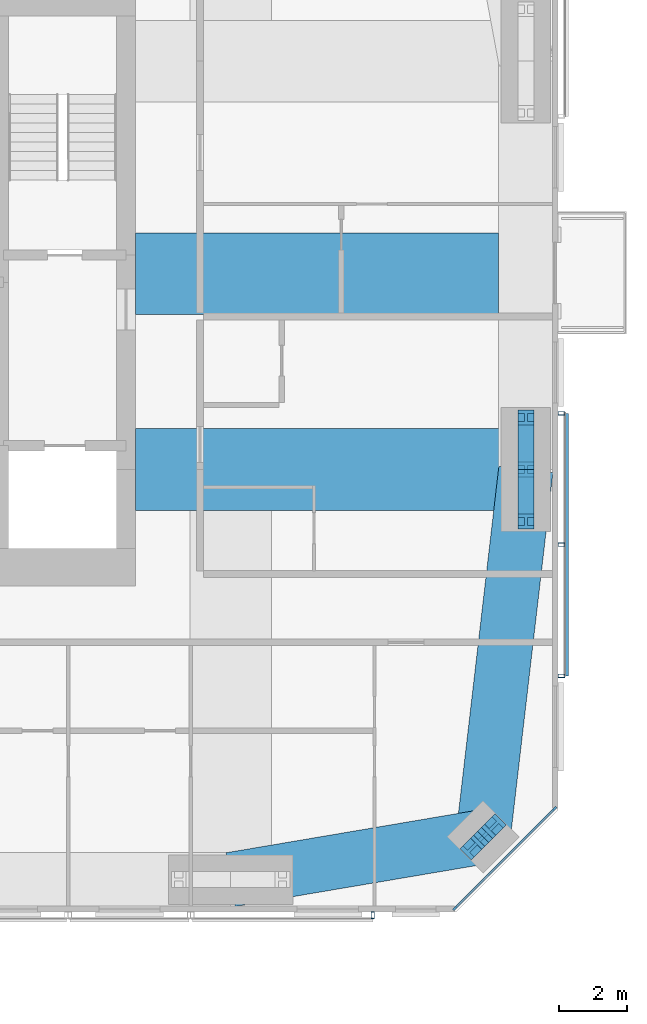
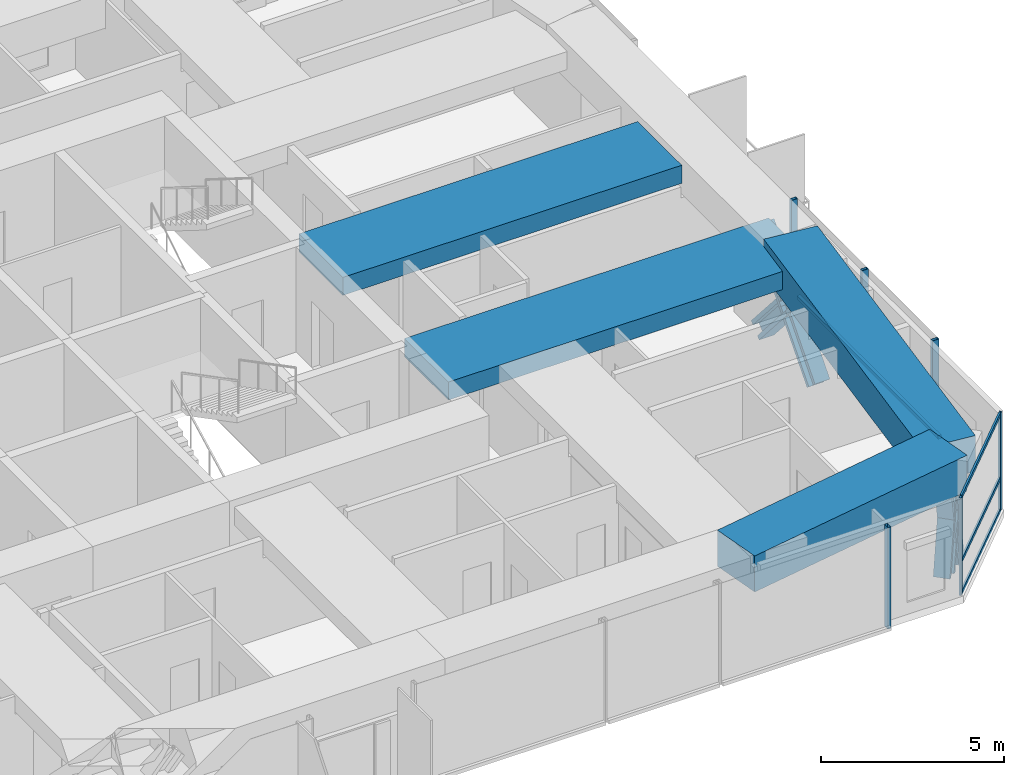
# One storey, part 7 of 18: 18 members, 4 beams, 3 elements without a shape of their own.
"""IFC4 building model written with IfcOpenShell, lengths in metres."""

from ifc_helpers import new_model, si_unit, direction, frame, origin, origin_2d, place, context, subcontext, project, spatial, rectangle, hollow_rectangle, i_section, extrude, material, material_profile, profile_set, type_object, element, aggregate, save


model = new_model("IFC4")

# Units and contexts
model_context = context("Model", 3, precision=1e-05, world=origin(), true_north=direction((0.0, 1.0)))
body_context = subcontext(model_context, "Body", "Model", "MODEL_VIEW")
ifc_project = project(units=[si_unit("LENGTHUNIT", "METRE"), si_unit("AREAUNIT", "SQUARE_METRE"), si_unit("VOLUMEUNIT", "CUBIC_METRE"), si_unit("PLANEANGLEUNIT", "RADIAN"), si_unit("MASSUNIT", "GRAM", prefix="KILO")], contexts=[model_context])

# Site, building, storey
site_placement = place(None, origin())
site = spatial("IfcSite", under=ifc_project, at=site_placement, CompositionType="ELEMENT")
building_placement = place(site_placement, origin())
building = spatial("IfcBuilding", under=site, at=building_placement, Name="Jalousie Tower", CompositionType="ELEMENT")
storey_placement = place(building_placement, frame((0.0, 0.0, 228.449951171875)))
storey = spatial("IfcBuildingStorey", under=building, at=storey_placement, Name="L62", CompositionType="ELEMENT", Elevation=228.449951171875)

# Curtain wall, members
ifc_material_1 = material(Name="Aluminium curtain wall", Category="aluminium")
curtain_wall_type_1 = type_object("IfcCurtainWallType", Name="CORNER WINDOW WALL", PredefinedType="USERDEFINED", material=ifc_material_1)
curtain_wall_1_placement = place(storey_placement, origin())
curtain_wall_1 = element("IfcCurtainWall", 1, at=curtain_wall_1_placement, inside=storey, type_object=curtain_wall_type_1, Name="Corner Window Wall L62 2", ObjectType="CORNER WINDOW WALL", PredefinedType="USERDEFINED")
ifc_material_2 = material(Name="Aluminium mullion", Category="aluminium")
ifc_material_profile_1 = material_profile(ifc_material_2, rectangle(XDim=0.06005859375, YDim=0.14990234375, at=origin_2d()), Name="MULLION 60x150")
ifc_profile_set_1 = profile_set([ifc_material_profile_1], Name="Aluminium mullion")
member_type_1 = type_object("IfcMemberType", Name="CORNER WINDOW WALL MULLION", PredefinedType="MULLION", material=ifc_profile_set_1)
member_1_placement = place(storey_placement, frame((53.469970703125, 0.108642578125, 0.0), z_axis=(0.0, 0.0, 1.0), x_axis=(-0.707106781187, 0.707106781187, 0.0)))
member_1 = element("IfcMember", 2, at=member_1_placement, type_object=member_type_1, Name="CW-C mullion 1", PredefinedType="MULLION", context=body_context, shape_type="SweptSolid", body=[
    extrude(rectangle(XDim=0.06005859375, YDim=0.14990234375, at=origin_2d()), origin(), (0.0, 0.0, 1.0), 3.260009765625),
])
member_2_placement = place(storey_placement, frame((56.391357421875, 3.030029296875, 0.0), z_axis=(0.0, 0.0, 1.0), x_axis=(-0.707106781187, 0.707106781187, 0.0)))
member_2 = element("IfcMember", 3, at=member_2_placement, type_object=member_type_1, Name="CW-C mullion 2", PredefinedType="MULLION", context=body_context, shape_type="SweptSolid", body=[
    extrude(rectangle(XDim=0.06005859375, YDim=0.14990234375, at=origin_2d()), origin(), (0.0, 0.0, 1.0), 3.260009765625),
])
ifc_material_3 = material(Name="Aluminium transom", Category="aluminium")
ifc_material_profile_2 = material_profile(ifc_material_3, rectangle(XDim=0.06005859375, YDim=0.1201171875, at=origin_2d()), Name="TRANSOM 60x120")
ifc_profile_set_2 = profile_set([ifc_material_profile_2], Name="Aluminium transom")
member_type_2 = type_object("IfcMemberType", Name="CORNER WINDOW WALL TRANSOM", PredefinedType="USERDEFINED", material=ifc_profile_set_2)
member_3_placement = place(storey_placement, frame((53.4912109375, 0.1298828125, 0.030029296875), z_axis=(0.707106781187, 0.707106781187, 0.0), x_axis=(-0.707106781187, 0.707106781187, 0.0)))
member_3 = element("IfcMember", 4, at=member_3_placement, type_object=member_type_2, Name="CW-C transom 1.1", ObjectType="TRANSOM", PredefinedType="USERDEFINED", context=body_context, shape_type="SweptSolid", body=[
    extrude(rectangle(XDim=0.06005859375, YDim=0.1201171875, at=origin_2d()), origin(), (0.0, 0.0, 1.0), 4.0712890625),
])
member_4_placement = place(storey_placement, frame((53.4912109375, 0.1298828125, 1.10009765625), z_axis=(0.707106781187, 0.707106781187, 0.0), x_axis=(-0.707106781187, 0.707106781187, 0.0)))
member_4 = element("IfcMember", 5, at=member_4_placement, type_object=member_type_2, Name="CW-C transom 1.2", ObjectType="TRANSOM", PredefinedType="USERDEFINED", context=body_context, shape_type="SweptSolid", body=[
    extrude(rectangle(XDim=0.06005859375, YDim=0.1201171875, at=origin_2d()), origin(), (0.0, 0.0, 1.0), 4.0712890625),
])
member_5_placement = place(storey_placement, frame((53.4912109375, 0.1298828125, 3.22998046875), z_axis=(0.707106781187, 0.707106781187, 0.0), x_axis=(-0.707106781187, 0.707106781187, 0.0)))
member_5 = element("IfcMember", 6, at=member_5_placement, type_object=member_type_2, Name="CW-C transom 1.3", ObjectType="TRANSOM", PredefinedType="USERDEFINED", context=body_context, shape_type="SweptSolid", body=[
    extrude(rectangle(XDim=0.06005859375, YDim=0.1201171875, at=origin_2d()), origin(), (0.0, 0.0, 1.0), 4.0712890625),
])
aggregate(curtain_wall_1, [member_1, member_2, member_3, member_4, member_5])

# Members
ifc_material_4 = material(Name="Steel ASTM A992 Grade 50", Category="steel")
ifc_material_profile_3 = material_profile(ifc_material_4, i_section(OverallWidth=0.472412109375, OverallDepth=0.5791015625, WebThickness=0.094970703125, FlangeThickness=0.1298828125, at=origin_2d()), Name="W14X808")
ifc_profile_set_3 = profile_set([ifc_material_profile_3], Name="Steel ASTM A992 Grade 50")
member_type_3 = type_object("IfcMemberType", Name="PERIMETER BRACE W14X808", PredefinedType="BRACE", material=ifc_profile_set_3)
for number, where, z_axis, x_axis, name in (
    (7, (53.974609375, 1.888916015625, -0.599853515625), (0.17618653952, 0.176051427143, 0.968485517854), (-0.706835495285, 0.707377963048, 0.0), "Perimeter brace 05 L62 part 1"),
    (8, (54.29296875, 2.20703125, 1.150146484375), (0.176051427143, 0.17618653952, 0.968485517854), (-0.707377963048, 0.706835495285, 0.0), "Perimeter brace 05 L62 part 2"),
    (9, (54.611083984375, 2.525390625, -0.599853515625), (-0.176051427143, -0.17618653952, 0.968485517854), (0.707377963048, -0.706835495285, 0.0), "Perimeter brace 05 L62 part 3"),
    (10, (54.29296875, 2.20703125, 1.150146484375), (-0.17618653952, -0.176051427143, 0.968485517854), (0.706835495285, -0.707377963048, 0.0), "Perimeter brace 05 L62 part 4"),
):
    element("IfcMember", number, at=place(storey_placement, frame(where, z_axis=z_axis, x_axis=x_axis)), inside=storey, type_object=member_type_3, Name=name, PredefinedType="BRACE", context=body_context, shape_type="SweptSolid", body=[
        extrude(i_section(OverallWidth=0.472412109375, OverallDepth=0.5791015625, WebThickness=0.094970703125, FlangeThickness=0.1298828125, at=origin_2d()), origin(), (0.0, 0.0, 1.0), 1.806884765625),
    ])
for number, where, z_axis, x_axis, name in (
    (11, (55.550048828125, 11.47509765625, -0.599853515625), (0.0, 0.65695436777, 0.753930340726), (-1.0, 0.0, 0.0), "Perimeter brace 06 L62 part 1"),
    (12, (55.550048828125, 13.0, 1.150146484375), (0.0, 0.65695436777, 0.753930340726), (-1.0, 0.0, 0.0), "Perimeter brace 06 L62 part 2"),
    (13, (55.550048828125, 14.52490234375, -0.599853515625), (0.0, -0.65695436777, 0.753930340726), (1.0, 0.0, 0.0), "Perimeter brace 06 L62 part 3"),
    (14, (55.550048828125, 13.0, 1.150146484375), (0.0, -0.65695436777, 0.753930340726), (1.0, 0.0, 0.0), "Perimeter brace 06 L62 part 4"),
):
    element("IfcMember", number, at=place(storey_placement, frame(where, z_axis=z_axis, x_axis=x_axis)), inside=storey, type_object=member_type_3, Name=name, PredefinedType="BRACE", context=body_context, shape_type="SweptSolid", body=[
        extrude(i_section(OverallWidth=0.472412109375, OverallDepth=0.5791015625, WebThickness=0.094970703125, FlangeThickness=0.1298828125, at=origin_2d()), origin(), (0.0, 0.0, 1.0), 2.3212890625),
    ])

# Beams
ifc_material_5 = material(Name="Concrete f'c 40 MPa", Category="concrete")
ifc_material_profile_4 = material_profile(ifc_material_5, rectangle(XDim=1.60009765625, YDim=1.199951171875, at=origin_2d()), Name="RC 1600x1200")
ifc_profile_set_4 = profile_set([ifc_material_profile_4], Name="Concrete f'c 40 MPa")
beam_type_1 = type_object("IfcBeamType", Name="RC BEAM 1600x1200", PredefinedType="BEAM", material=ifc_profile_set_4)
beam_1_placement = place(storey_placement, frame((46.875, 0.949951171875, 2.900146484375), z_axis=(0.985942997446, 0.167082033105, 0.0), x_axis=(-0.167082033105, 0.985942997446, 0.0)))
element("IfcBeam", 15, at=beam_1_placement, inside=storey, type_object=beam_type_1, Name="Edge band beam 04-05 under L63", PredefinedType="BEAM", context=body_context, shape_type="SweptSolid", body=[
    extrude(rectangle(XDim=1.60009765625, YDim=1.199951171875, at=origin_2d()), origin(), (0.0, 0.0, 1.0), 7.523681640625),
])
beam_2_placement = place(storey_placement, frame((54.29296875, 2.20703125, 2.900146484375), z_axis=(0.115690063472, 0.993285361421, 0.0), x_axis=(-0.993285361421, 0.115690063472, 0.0)))
element("IfcBeam", 16, at=beam_2_placement, inside=storey, type_object=beam_type_1, Name="Edge band beam 05-06 under L63", PredefinedType="BEAM", context=body_context, shape_type="SweptSolid", body=[
    extrude(rectangle(XDim=1.60009765625, YDim=1.199951171875, at=origin_2d()), origin(), (0.0, 0.0, 1.0), 10.865966796875),
])
ifc_material_6 = material(Name="Concrete f'c 40 MPa", Category="concrete")
ifc_material_profile_5 = material_profile(ifc_material_6, rectangle(XDim=2.39990234375, YDim=0.60009765625, at=origin_2d()), Name="RC 2400x600")
ifc_profile_set_5 = profile_set([ifc_material_profile_5], Name="Concrete f'c 40 MPa")
beam_type_2 = type_object("IfcBeamType", Name="RC BEAM 2400x600", PredefinedType="BEAM", material=ifc_profile_set_5)
beam_3_placement = place(storey_placement, frame((55.550048828125, 13.0, 2.9599609375), z_axis=(-1.0, 0.0, 0.0), x_axis=(0.0, -1.0, 0.0)))
element("IfcBeam", 17, at=beam_3_placement, inside=storey, type_object=beam_type_2, Name="Floor band beam under L63", PredefinedType="BEAM", context=body_context, shape_type="SweptSolid", body=[
    extrude(rectangle(XDim=2.39990234375, YDim=0.60009765625, at=origin_2d()), origin(), (0.0, 0.0, 1.0), 11.47509765625),
])
beam_4_placement = place(storey_placement, frame((44.074951171875, 18.75, 2.9599609375), z_axis=(1.0, 0.0, 0.0), x_axis=(0.0, 1.0, 0.0)))
element("IfcBeam", 18, at=beam_4_placement, inside=storey, type_object=beam_type_2, Name="Floor band beam under L63", PredefinedType="BEAM", context=body_context, shape_type="SweptSolid", body=[
    extrude(rectangle(XDim=2.39990234375, YDim=0.60009765625, at=origin_2d()), origin(), (0.0, 0.0, 1.0), 10.675048828125),
])

# Curtain wall, member
ifc_material_7 = material(Name="Perforated aluminium sheet", Category="aluminium")
curtain_wall_type_2 = type_object("IfcCurtainWallType", Name="SOLAR SCREEN SS-2", PredefinedType="USERDEFINED", material=ifc_material_7)
curtain_wall_2_placement = place(storey_placement, origin())
curtain_wall_2 = element("IfcCurtainWall", 19, at=curtain_wall_2_placement, inside=storey, type_object=curtain_wall_type_2, Name="Solar screen L62", ObjectType="SOLAR SCREEN SS-2", PredefinedType="USERDEFINED")
ifc_material_8 = material(Name="Steel ASTM A500 Grade C", Category="steel")
ifc_material_profile_6 = material_profile(ifc_material_8, hollow_rectangle(XDim=0.1015625, YDim=0.203125, WallThickness=0.0078125, at=origin_2d()), Name="HSS8X4X5/16")
ifc_profile_set_6 = profile_set([ifc_material_profile_6], Name="Steel ASTM A500 Grade C")
member_type_4 = type_object("IfcMemberType", Name="SOLAR SCREEN SS-2 MULLION", PredefinedType="MULLION", material=ifc_profile_set_6)
member_6_placement = place(storey_placement, frame((51.050048828125, -0.0966796875, -0.119873046875), z_axis=(0.0, 0.0, 1.0), x_axis=(1.0, 0.0, 0.0)))
member_6 = element("IfcMember", 20, at=member_6_placement, type_object=member_type_4, Name="SS2 post 2", PredefinedType="MULLION", context=body_context, shape_type="SweptSolid", body=[
    extrude(hollow_rectangle(XDim=0.1015625, YDim=0.203125, WallThickness=0.0078125, at=origin_2d()), origin(), (0.0, 0.0, 1.0), 3.3798828125),
])
aggregate(curtain_wall_2, [member_6])

# Curtain wall, members
curtain_wall_3_placement = place(storey_placement, origin())
curtain_wall_3 = element("IfcCurtainWall", 21, at=curtain_wall_3_placement, inside=storey, type_object=curtain_wall_type_2, Name="Solar screen L62", ObjectType="SOLAR SCREEN SS-2", PredefinedType="USERDEFINED")
member_7_placement = place(storey_placement, frame((56.5966796875, 6.938232421875, -0.119873046875), z_axis=(0.0, 0.0, 1.0), x_axis=(0.0, 1.0, 0.0)))
member_7 = element("IfcMember", 22, at=member_7_placement, type_object=member_type_4, Name="SS2 post 1", PredefinedType="MULLION", context=body_context, shape_type="SweptSolid", body=[
    extrude(hollow_rectangle(XDim=0.1015625, YDim=0.203125, WallThickness=0.0078125, at=origin_2d()), origin(), (0.0, 0.0, 1.0), 3.3798828125),
])
member_8_placement = place(storey_placement, frame((56.5966796875, 10.79345703125, -0.119873046875), z_axis=(0.0, 0.0, 1.0), x_axis=(0.0, 1.0, 0.0)))
member_8 = element("IfcMember", 23, at=member_8_placement, type_object=member_type_4, Name="SS2 post 2", PredefinedType="MULLION", context=body_context, shape_type="SweptSolid", body=[
    extrude(hollow_rectangle(XDim=0.1015625, YDim=0.203125, WallThickness=0.0078125, at=origin_2d()), origin(), (0.0, 0.0, 1.0), 3.3798828125),
])
member_9_placement = place(storey_placement, frame((56.5966796875, 14.6484375, -0.119873046875), z_axis=(0.0, 0.0, 1.0), x_axis=(0.0, 1.0, 0.0)))
member_9 = element("IfcMember", 24, at=member_9_placement, type_object=member_type_4, Name="SS2 post 3", PredefinedType="MULLION", context=body_context, shape_type="SweptSolid", body=[
    extrude(hollow_rectangle(XDim=0.1015625, YDim=0.203125, WallThickness=0.0078125, at=origin_2d()), origin(), (0.0, 0.0, 1.0), 3.3798828125),
])
ifc_material_9 = material(Name="Extruded aluminium screen rail", Category="aluminium")
ifc_material_profile_7 = material_profile(ifc_material_9, rectangle(XDim=0.1015625, YDim=0.1201171875, at=origin_2d()), Name="RAIL 102x120")
ifc_profile_set_7 = profile_set([ifc_material_profile_7], Name="Extruded aluminium screen rail")
member_type_5 = type_object("IfcMemberType", Name="SOLAR SCREEN SS-2 TRANSOM", PredefinedType="USERDEFINED", material=ifc_profile_set_7)
member_10_placement = place(storey_placement, frame((56.7490234375, 6.938232421875, -0.06005859375), z_axis=(0.0, 1.0, 0.0), x_axis=(-1.0, 0.0, 0.0)))
member_10 = element("IfcMember", 25, at=member_10_placement, type_object=member_type_5, Name="SS2 rail", ObjectType="TRANSOM", PredefinedType="USERDEFINED", context=body_context, shape_type="SweptSolid", body=[
    extrude(rectangle(XDim=0.1015625, YDim=0.1201171875, at=origin_2d()), origin(), (0.0, 0.0, 1.0), 7.710205078125),
])
aggregate(curtain_wall_3, [member_7, member_8, member_9, member_10])

save(model, "model.ifc")
